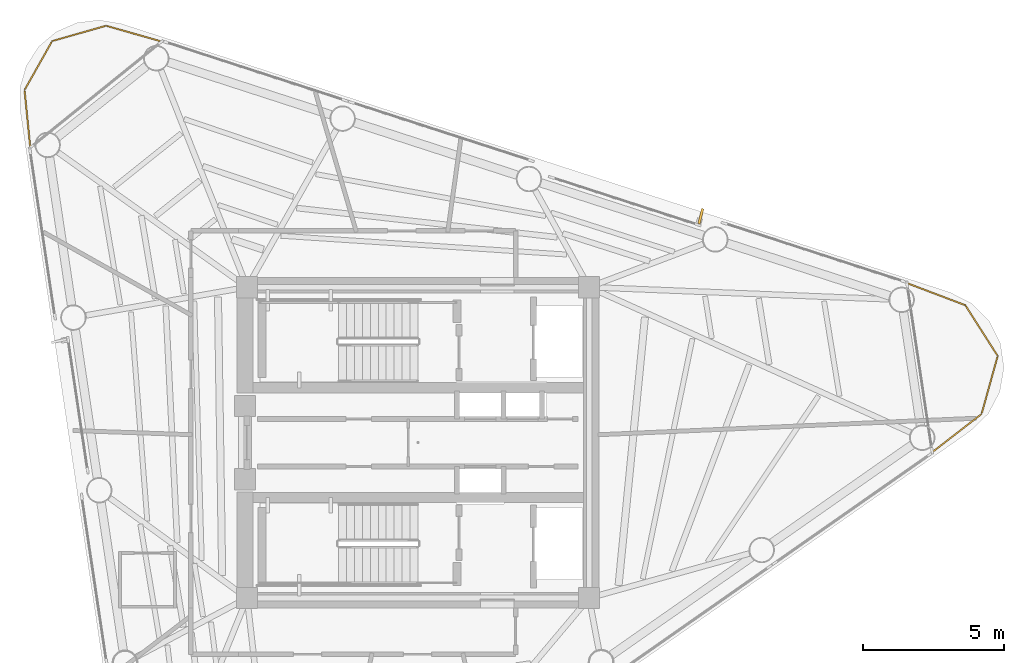
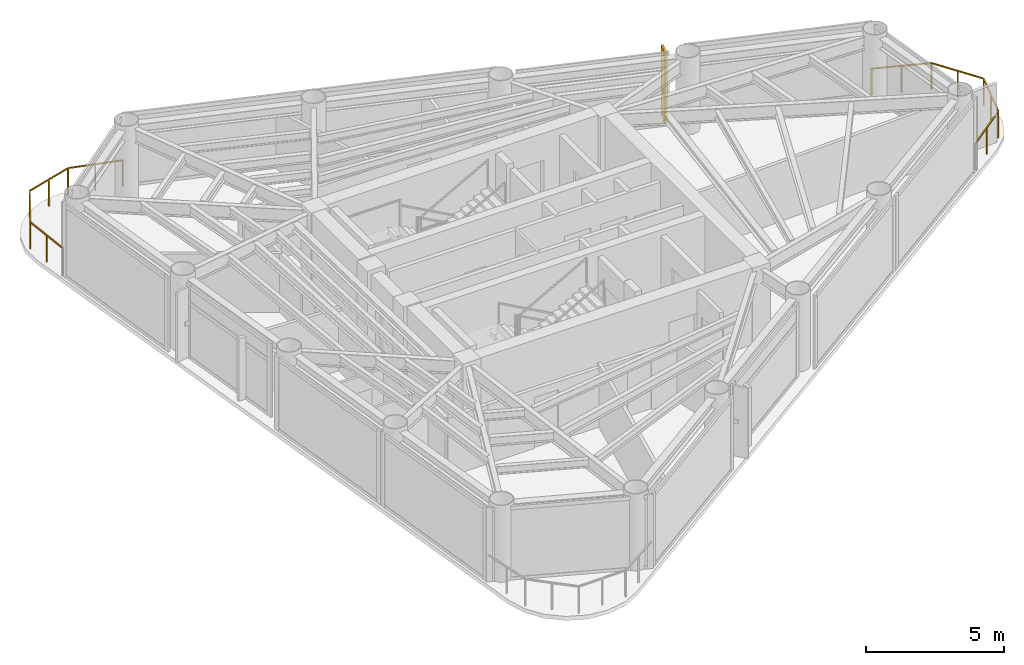
# One storey, part 9 of 9: 2 railings, 1 shading device.
"""IFC4 building model written with IfcOpenShell, lengths in metres."""

from ifc_helpers import new_model, si_unit, direction, frame, origin, origin_2d, place, context, subcontext, project, spatial, rectangle, extrude, source, transform, mapped, material, material_profile, profile_set, type_object, element, save


model = new_model("IFC4")

# Units and contexts
model_context = context("Model", 3, precision=1e-05, world=origin(), true_north=direction((0.0, 1.0)))
body_context = subcontext(model_context, "Body", "Model", "MODEL_VIEW")
ifc_project = project(units=[si_unit("LENGTHUNIT", "METRE"), si_unit("AREAUNIT", "SQUARE_METRE"), si_unit("VOLUMEUNIT", "CUBIC_METRE"), si_unit("PLANEANGLEUNIT", "RADIAN"), si_unit("MASSUNIT", "GRAM", prefix="KILO")], contexts=[model_context])

# Site, building, storey
site_placement = place(None, origin())
site = spatial("IfcSite", under=ifc_project, at=site_placement, CompositionType="ELEMENT")
building_placement = place(site_placement, origin())
building = spatial("IfcBuilding", under=site, at=building_placement, Name="Yunling Apex Tower", CompositionType="ELEMENT")
storey_placement = place(building_placement, frame((0.0, 0.0, 264.35009765625)))
storey = spatial("IfcBuildingStorey", under=building, at=storey_placement, Name="L64", CompositionType="ELEMENT", Elevation=264.35009765625)

# Railings
ifc_material = material(Name="Bronze anodised aluminium", Category="aluminium")
railing_type = type_object("IfcRailingType", Name="RL-BAL-1200", PredefinedType="BALUSTRADE", material=ifc_material)
railing_1_placement = place(storey_placement, frame((17.301513671875, 5.64208984375, 0.0)))
element("IfcRailing", 1, at=railing_1_placement, inside=storey, type_object=railing_type, Name="RL-CRNSILL-L64-1", PredefinedType="BALUSTRADE", context=body_context, shape_type="SweptSolid", body=[
    extrude(rectangle(XDim=0.0439453125, YDim=0.0439453125, at=origin_2d()), origin(), (0.0, 0.0, 1.0), 1.199951171875),
    extrude(rectangle(XDim=0.0439453125, YDim=0.0439453125, at=origin_2d()), frame((2.06103515625, -0.78125, 0.0)), (0.0, 0.0, 1.0), 1.199951171875),
    extrude(rectangle(XDim=0.050048828125, YDim=0.050048828125, at=origin_2d()), frame((0.035888671875, -0.013671875, 1.1748046875), z_axis=(0.935076028929, -0.354447203574, 0.0), x_axis=(0.354447203574, 0.935076028929, 0.0)), (0.0, 0.0, 1.0), 2.12744140625),
    extrude(rectangle(XDim=0.0439453125, YDim=0.0439453125, at=origin_2d()), frame((1.030517578125, -0.390625, 0.0)), (0.0, 0.0, 1.0), 1.14599609375),
    extrude(rectangle(XDim=0.0439453125, YDim=0.0439453125, at=origin_2d()), frame((3.207275390625, -2.576904296875, 0.0)), (0.0, 0.0, 1.0), 1.199951171875),
    extrude(rectangle(XDim=0.050048828125, YDim=0.050048828125, at=origin_2d()), frame((2.08154296875, -0.8134765625, 1.1748046875), z_axis=(0.538061440176, -0.842905621405, 0.0), x_axis=(0.842905621405, 0.538061440176, 0.0)), (0.0, 0.0, 1.0), 2.0537109375),
    extrude(rectangle(XDim=0.0439453125, YDim=0.0439453125, at=origin_2d()), frame((2.63427734375, -1.67919921875, 0.0)), (0.0, 0.0, 1.0), 1.14599609375),
    extrude(rectangle(XDim=0.0439453125, YDim=0.0439453125, at=origin_2d()), frame((2.63623046875, -4.62939453125, 0.0)), (0.0, 0.0, 1.0), 1.199951171875),
    extrude(rectangle(XDim=0.050048828125, YDim=0.050048828125, at=origin_2d()), frame((3.197021484375, -2.61376953125, 1.1748046875), z_axis=(-0.268039837369, -0.963407829314, 0.0), x_axis=(0.963407829314, -0.268039837369, 0.0)), (0.0, 0.0, 1.0), 2.0537109375),
    extrude(rectangle(XDim=0.0439453125, YDim=0.0439453125, at=origin_2d()), frame((2.921875, -3.60302734375, 0.0)), (0.0, 0.0, 1.0), 1.14599609375),
    extrude(rectangle(XDim=0.0439453125, YDim=0.0439453125, at=origin_2d()), frame((0.8935546875, -5.979248046875, 0.0)), (0.0, 0.0, 1.0), 1.199951171875),
    extrude(rectangle(XDim=0.050048828125, YDim=0.050048828125, at=origin_2d()), frame((2.60595703125, -4.65283203125, 1.1748046875), z_axis=(-0.790573223341, -0.612367519172, 0.0), x_axis=(0.612367519172, -0.790573223341, 0.0)), (0.0, 0.0, 1.0), 2.127685546875),
    extrude(rectangle(XDim=0.0439453125, YDim=0.0439453125, at=origin_2d()), frame((1.764892578125, -5.30419921875, 0.0)), (0.0, 0.0, 1.0), 1.14599609375),
])
railing_2_placement = place(storey_placement, frame((-13.722900390625, 10.44091796875, 0.0)))
element("IfcRailing", 2, at=railing_2_placement, inside=storey, type_object=railing_type, Name="RL-CRNSILL-L64-2", PredefinedType="BALUSTRADE", context=body_context, shape_type="SweptSolid", body=[
    extrude(rectangle(XDim=0.0439453125, YDim=0.0439453125, at=origin_2d()), origin(), (0.0, 0.0, 1.0), 1.199951171875),
    extrude(rectangle(XDim=0.0439453125, YDim=0.0439453125, at=origin_2d()), frame((-0.20361328125, 2.0341796875, 0.0)), (0.0, 0.0, 1.0), 1.199951171875),
    extrude(rectangle(XDim=0.050048828125, YDim=0.050048828125, at=origin_2d()), frame((-0.00390625, 0.0380859375, 1.1748046875), z_axis=(-0.099598310599, 0.995027726511, 0.0), x_axis=(-0.995027726511, -0.099598310599, 0.0)), (0.0, 0.0, 1.0), 1.9677734375),
    extrude(rectangle(XDim=0.0439453125, YDim=0.0439453125, at=origin_2d()), frame((-0.101806640625, 1.01708984375, 0.0)), (0.0, 0.0, 1.0), 1.14599609375),
    extrude(rectangle(XDim=0.0439453125, YDim=0.0439453125, at=origin_2d()), frame((0.774169921875, 3.7666015625, 0.0)), (0.0, 0.0, 1.0), 1.199951171875),
    extrude(rectangle(XDim=0.050048828125, YDim=0.050048828125, at=origin_2d()), frame((-0.184814453125, 2.067626953125, 1.1748046875), z_axis=(0.491519311586, 0.870866675409, 0.0), x_axis=(-0.870866675409, 0.491519311586, 0.0)), (0.0, 0.0, 1.0), 1.91259765625),
    extrude(rectangle(XDim=0.0439453125, YDim=0.0439453125, at=origin_2d()), frame((0.28515625, 2.900390625, 0.0)), (0.0, 0.0, 1.0), 1.14599609375),
    extrude(rectangle(XDim=0.0439453125, YDim=0.0439453125, at=origin_2d()), frame((2.68115234375, 4.3095703125, 0.0)), (0.0, 0.0, 1.0), 1.199951171875),
    extrude(rectangle(XDim=0.050048828125, YDim=0.050048828125, at=origin_2d()), frame((0.81103515625, 3.777099609375, 1.1748046875), z_axis=(0.961774454599, 0.273842835364, 0.0), x_axis=(-0.273842835364, 0.961774454599, 0.0)), (0.0, 0.0, 1.0), 1.906005859375),
    extrude(rectangle(XDim=0.0439453125, YDim=0.0439453125, at=origin_2d()), frame((1.7275390625, 4.0380859375, 0.0)), (0.0, 0.0, 1.0), 1.14599609375),
    extrude(rectangle(XDim=0.0439453125, YDim=0.0439453125, at=origin_2d()), frame((4.6484375, 3.7509765625, 0.0)), (0.0, 0.0, 1.0), 1.199951171875),
    extrude(rectangle(XDim=0.050048828125, YDim=0.050048828125, at=origin_2d()), frame((2.718017578125, 4.299072265625, 1.1748046875), z_axis=(0.961973149689, -0.273144026618, 0.0), x_axis=(0.273144026618, 0.961973149689, 0.0)), (0.0, 0.0, 1.0), 1.968505859375),
    extrude(rectangle(XDim=0.0439453125, YDim=0.0439453125, at=origin_2d()), frame((3.664794921875, 4.0302734375, 0.0)), (0.0, 0.0, 1.0), 1.14599609375),
])

# Shading device
ifc_material_profile = material_profile(ifc_material, rectangle(XDim=0.0849609375, YDim=0.550048828125, at=origin_2d()))
ifc_profile_set = profile_set([ifc_material_profile], Name="Bronze anodised aluminium")
shading_device_type = type_object("IfcShadingDeviceType", Name="FN-BRZ-3", PredefinedType="USERDEFINED", material=ifc_profile_set)
shared_shape = source(origin(), body_context, "Body", "SweptSolid", [
    extrude(rectangle(XDim=0.0849609375, YDim=0.550048828125, at=origin_2d()), origin(), (0.0, 0.0, 1.0), 3.10009765625),
])
shading_device_placement = place(storey_placement, frame((10.0048828125, 8.012451171875, 0.059814453125), z_axis=(0.0, 0.0, 1.0), x_axis=(-0.969402520914, 0.245476582274, 0.0)))
element("IfcShadingDevice", 3, at=shading_device_placement, inside=storey, type_object=shading_device_type, Name="CW-L64-F2-B2-FIN-01", ObjectType="FIN", PredefinedType="USERDEFINED", context=body_context, shape_type="MappedRepresentation", body=[
    mapped(shared_shape, transform((0.0, 0.0, 0.0), scale=1.0)),
])

save(model, "model.ifc")
